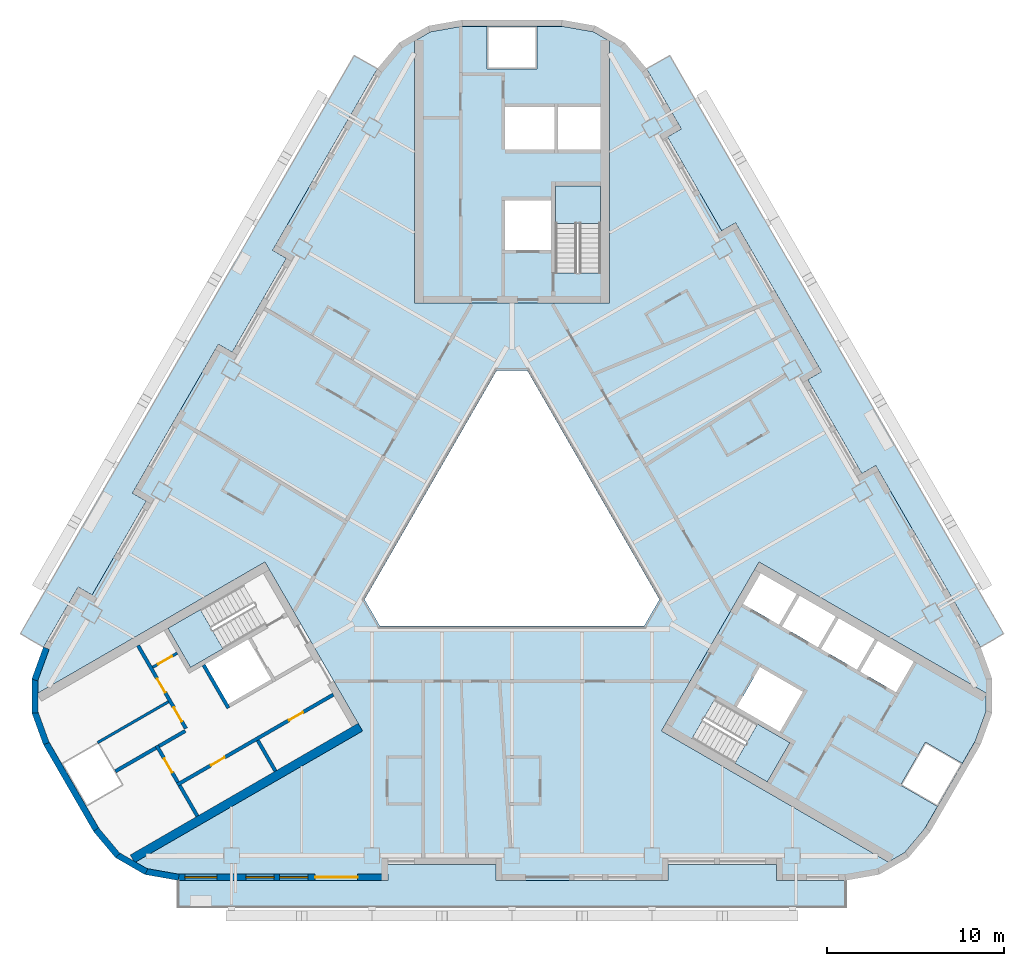
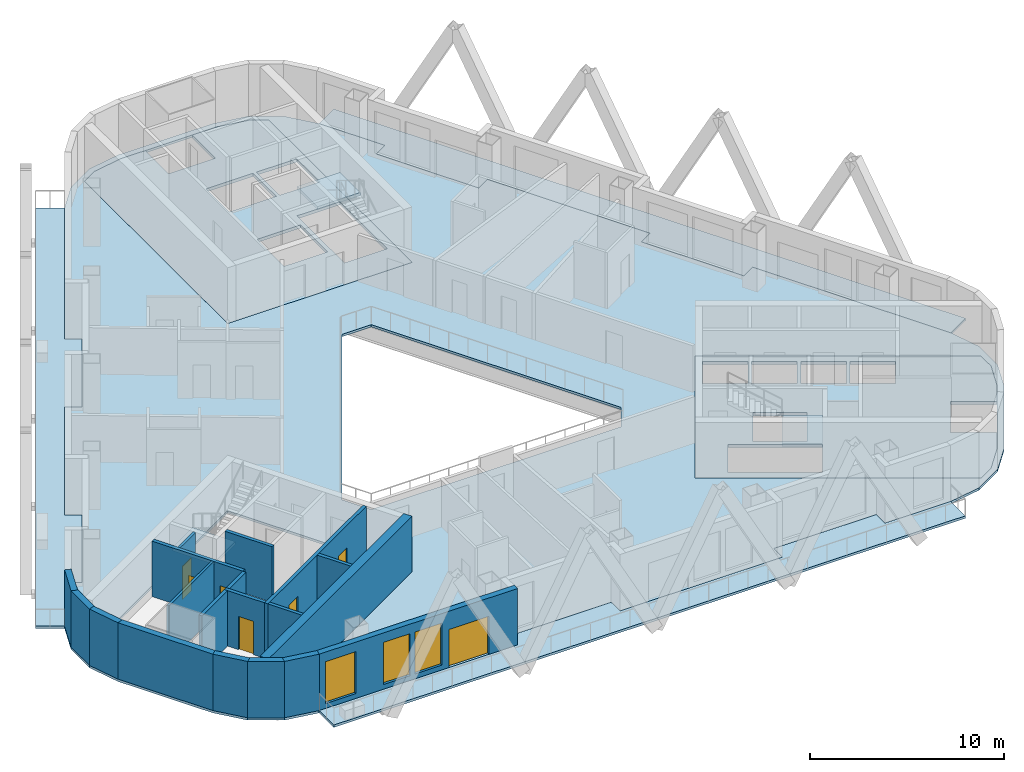
# One storey, part 2 of 13: 19 walls, 9 slabs, 7 doors, 3 windows, 10 openings, 3 elements without a shape of their own.
"""IFC4 building model written with IfcOpenShell, lengths in metres."""

from ifc_helpers import new_model, si_unit, direction, frame, frame_2d, origin, place, context, subcontext, project, spatial, polyline, rectangle, outline, extrude, material, layer, layer_set, type_object, element, fill, aggregate, save


model = new_model("IFC4")

# Units and contexts
model_context = context("Model", 3, precision=1e-05, world=origin(), true_north=direction((0.0, 1.0)))
body_context = subcontext(model_context, "Body", "Model", "MODEL_VIEW")
ifc_project = project(units=[si_unit("LENGTHUNIT", "METRE"), si_unit("AREAUNIT", "SQUARE_METRE"), si_unit("VOLUMEUNIT", "CUBIC_METRE"), si_unit("PLANEANGLEUNIT", "RADIAN"), si_unit("MASSUNIT", "GRAM", prefix="KILO")], contexts=[model_context])

# Site, building, storey
site_placement = place(None, origin())
site = spatial("IfcSite", under=ifc_project, at=site_placement, CompositionType="ELEMENT")
building_placement = place(site_placement, origin())
building = spatial("IfcBuilding", under=site, at=building_placement, Name="Apuvela Tower Hotel", CompositionType="ELEMENT")
storey_placement = place(building_placement, frame((0.0, 0.0, 105.699951171875)))
storey = spatial("IfcBuildingStorey", under=building, at=storey_placement, Name="L24", CompositionType="ELEMENT", Elevation=105.699951171875)

# Slabs
ifc_material_1 = material(Name="Concrete C50/60", Category="concrete")
ifc_layer_1 = layer(ifc_material_1, 0.199951171875)
ifc_layer_set_1 = layer_set([ifc_layer_1], Name="COR-FLOOR-200")
slab_type_1 = type_object("IfcSlabType", Name="COR-FLOOR-200", PredefinedType="FLOOR", material=ifc_layer_set_1)
slab_1_placement = place(storey_placement, frame((0.0, 0.0, -0.199951171875)))
element("IfcSlab", 1, at=slab_1_placement, inside=storey, type_object=slab_type_1, Name="Core floor N", PredefinedType="FLOOR", context=body_context, shape_type="SweptSolid", body=[
    extrude(outline(polyline([(5.5, 27.668212890625), (4.588623046875, 28.1943359375), (2.85498046875, 28.5), (1.39990234375, 28.5), (1.39990234375, 26.10009765625), (-1.39990234375, 26.10009765625), (-1.39990234375, 28.5), (-2.85498046875, 28.5), (-4.588623046875, 28.1943359375), (-5.5, 27.668212890625), (-5.5, 12.89990234375), (5.5, 12.89990234375), (5.5, 27.668212890625)]), holes=[polyline([(5.0, 14.60595703125), (2.449951171875, 14.60595703125), (2.449951171875, 19.5), (5.0, 19.5), (5.0, 14.60595703125)]), polyline([(2.199951171875, 15.89990234375), (-0.39990234375, 15.89990234375), (-0.39990234375, 18.699951171875), (2.199951171875, 18.699951171875), (2.199951171875, 15.89990234375)]), polyline([(5.0, 21.550048828125), (2.60009765625, 21.550048828125), (2.60009765625, 23.949951171875), (5.0, 23.949951171875), (5.0, 21.550048828125)]), polyline([(2.39990234375, 21.550048828125), (-0.39990234375, 21.550048828125), (-0.39990234375, 23.949951171875), (2.39990234375, 23.949951171875), (2.39990234375, 21.550048828125)])]), origin(), (0.0, 0.0, 1.0), 0.199951171875),
])
slab_2_placement = place(storey_placement, frame((0.0, 0.0, -0.199951171875)))
element("IfcSlab", 2, at=slab_2_placement, inside=storey, type_object=slab_type_1, Name="Core floor SE", PredefinedType="FLOOR", context=body_context, shape_type="SweptSolid", body=[
    extrude(outline(polyline([(21.211181640625, -18.59716796875), (22.122802734375, -18.071044921875), (23.254150390625, -16.72265625), (23.981689453125, -15.46240234375), (21.9033203125, -14.262451171875), (23.30322265625, -11.837646484375), (25.381591796875, -13.03759765625), (26.109375, -11.77734375), (26.711181640625, -10.123291015625), (26.711181640625, -9.07080078125), (13.921630859375, -1.68701171875), (8.421630859375, -11.213134765625), (21.211181640625, -18.59716796875)]), holes=[polyline([(13.01806640625, -4.052001953125), (14.01806640625, -2.31982421875), (16.044677734375, -3.489990234375), (15.044677734375, -5.221923828125), (13.01806640625, -4.052001953125)]), polyline([(17.244384765625, -6.491943359375), (15.2177734375, -5.322021484375), (16.2177734375, -3.58984375), (18.244384765625, -4.760009765625), (17.244384765625, -6.491943359375)]), polyline([(14.387451171875, -14.080078125), (10.149169921875, -11.633056640625), (11.42431640625, -9.4248046875), (15.66259765625, -11.871826171875), (14.387451171875, -14.080078125)]), polyline([(12.669921875, -9.855224609375), (13.9697265625, -7.603515625), (16.394775390625, -9.003662109375), (15.0947265625, -11.25537109375), (12.669921875, -9.855224609375)]), polyline([(19.444091796875, -7.761962890625), (17.41748046875, -6.591796875), (18.41748046875, -4.85986328125), (20.444091796875, -6.02978515625), (19.444091796875, -7.761962890625)]), polyline([(21.643798828125, -9.031982421875), (19.6171875, -7.86181640625), (20.6171875, -6.1298828125), (22.643798828125, -7.2998046875), (21.643798828125, -9.031982421875)])]), origin(), (0.0, 0.0, 1.0), 0.199951171875),
])

# Stair, slab
stair_type = type_object("IfcStairType", Name="COR-STAIR-22R", PredefinedType="HALF_TURN_STAIR", material=ifc_material_1)
stair_1_placement = place(storey_placement, origin())
stair_1 = element("IfcStair", 3, at=stair_1_placement, inside=storey, type_object=stair_type, Name="L24 Exit stair ST1", PredefinedType="HALF_TURN_STAIR")
ifc_layer_2 = layer(ifc_material_1, 0.199951171875)
ifc_layer_set_2 = layer_set([ifc_layer_2], Name="COR-LANDING-200")
slab_type_2 = type_object("IfcSlabType", Name="COR-LANDING-200", PredefinedType="LANDING", material=ifc_layer_set_2)
slab_3_placement = place(storey_placement, frame((0.0, 0.0, 1.650146484375)))
slab_3 = element("IfcSlab", 4, at=slab_3_placement, type_object=slab_type_2, Name="ST1 landing 1", PredefinedType="LANDING", context=body_context, shape_type="SweptSolid", body=[
    extrude(outline(polyline([(5.0, 17.39404296875), (5.0, 19.5), (2.449951171875, 19.5), (2.449951171875, 17.39404296875), (5.0, 17.39404296875)])), origin(), (0.0, 0.0, 1.0), 0.199951171875),
])
aggregate(stair_1, [slab_3])

stair_2_placement = place(storey_placement, origin())
stair_2 = element("IfcStair", 5, at=stair_2_placement, inside=storey, type_object=stair_type, Name="L24 Exit stair ST2", PredefinedType="HALF_TURN_STAIR")
slab_4_placement = place(storey_placement, frame((0.0, 0.0, 1.650146484375)))
slab_4 = element("IfcSlab", 6, at=slab_4_placement, type_object=slab_type_2, Name="ST2 landing 1", PredefinedType="LANDING", context=body_context, shape_type="SweptSolid", body=[
    extrude(outline(polyline([(-17.563720703125, -4.366943359375), (-19.387451171875, -5.419921875), (-18.112548828125, -7.628173828125), (-16.28857421875, -6.5751953125), (-17.563720703125, -4.366943359375)])), origin(), (0.0, 0.0, 1.0), 0.199951171875),
])
aggregate(stair_2, [slab_4])

stair_3_placement = place(storey_placement, origin())
stair_3 = element("IfcStair", 7, at=stair_3_placement, inside=storey, type_object=stair_type, Name="L24 Exit stair ST3", PredefinedType="HALF_TURN_STAIR")
slab_5_placement = place(storey_placement, frame((0.0, 0.0, 1.650146484375)))
slab_5 = element("IfcSlab", 8, at=slab_5_placement, type_object=slab_type_2, Name="ST3 landing 1", PredefinedType="LANDING", context=body_context, shape_type="SweptSolid", body=[
    extrude(outline(polyline([(12.563720703125, -13.027099609375), (14.387451171875, -14.080078125), (15.66259765625, -11.871826171875), (13.838623046875, -10.81884765625), (12.563720703125, -13.027099609375)])), origin(), (0.0, 0.0, 1.0), 0.199951171875),
])
aggregate(stair_3, [slab_5])

# Slabs
ifc_material_2 = material(Name="Concrete C40/50, fair-faced", Category="concrete")
ifc_layer_3 = layer(ifc_material_2, 0.14990234375)
ifc_layer_set_3 = layer_set([ifc_layer_3], Name="ENV-BALCONY-150")
slab_type_3 = type_object("IfcSlabType", Name="ENV-BALCONY-150", PredefinedType="FLOOR", material=ifc_layer_set_3)
slab_6_placement = place(storey_placement, frame((0.0, 0.0, -0.14990234375)))
element("IfcSlab", 9, at=slab_6_placement, inside=storey, type_object=slab_type_3, Name="Balcony slab S L24", PredefinedType="FLOOR", context=body_context, shape_type="SweptSolid", body=[
    extrude(outline(polyline([(18.82080078125, -21.135009765625), (-18.82080078125, -21.135009765625), (-18.82080078125, -19.625), (-7.0048828125, -19.625), (-7.0048828125, -18.72509765625), (-0.89501953125, -18.72509765625), (-0.89501953125, -19.625), (8.794921875, -19.625), (8.794921875, -18.72509765625), (14.905029296875, -18.72509765625), (14.905029296875, -19.625), (18.82080078125, -19.625), (18.82080078125, -21.135009765625)])), origin(), (0.0, 0.0, 1.0), 0.14990234375),
])
slab_7_placement = place(storey_placement, frame((0.0, 0.0, -0.14990234375)))
element("IfcSlab", 10, at=slab_7_placement, inside=storey, type_object=slab_type_3, Name="Balcony slab NE L24", PredefinedType="FLOOR", context=body_context, shape_type="SweptSolid", body=[
    extrude(outline(polyline([(17.443359375, 9.037353515625), (12.598388671875, 17.42919921875), (11.81884765625, 16.979248046875), (8.763916015625, 22.2705078125), (9.543212890625, 22.720703125), (7.585205078125, 26.11181640625), (8.89306640625, 26.86669921875), (27.7138671875, -5.731689453125), (26.40625, -6.48681640625), (20.498291015625, 3.74609375), (19.71875, 3.2958984375), (16.663818359375, 8.58740234375), (17.443359375, 9.037353515625)])), origin(), (0.0, 0.0, 1.0), 0.14990234375),
])
slab_8_placement = place(storey_placement, frame((0.0, 0.0, -0.14990234375)))
element("IfcSlab", 11, at=slab_8_placement, inside=storey, type_object=slab_type_3, Name="Balcony slab NW L24", PredefinedType="FLOOR", context=body_context, shape_type="SweptSolid", body=[
    extrude(outline(polyline([(-27.7138671875, -5.731689453125), (-8.89306640625, 26.86669921875), (-7.585205078125, 26.11181640625), (-13.4931640625, 15.87890625), (-12.7138671875, 15.428955078125), (-15.768798828125, 10.1376953125), (-16.548095703125, 10.587646484375), (-21.393310546875, 2.19580078125), (-20.61376953125, 1.745849609375), (-23.668701171875, -3.545654296875), (-24.4482421875, -3.095703125), (-26.40625, -6.48681640625), (-27.7138671875, -5.731689453125)])), origin(), (0.0, 0.0, 1.0), 0.14990234375),
])
ifc_material_3 = material(Name="Concrete C35/45", Category="concrete")
ifc_layer_4 = layer(ifc_material_3, 0.14990234375)
ifc_layer_set_4 = layer_set([ifc_layer_4], Name="STR-SLAB 150 floor Concrete C35/45")
slab_type_4 = type_object("IfcSlabType", Name="STR-SLAB 150 floor Concrete C35/45", PredefinedType="FLOOR", material=ifc_layer_set_4)
slab_9_placement = place(storey_placement, frame((0.0, 0.0, -0.14990234375)))
element("IfcSlab", 12, at=slab_9_placement, inside=storey, type_object=slab_type_4, Name="Floor slab S4 L24", PredefinedType="FLOOR", context=body_context, shape_type="SweptSolid", body=[
    extrude(outline(polyline([(-6.3642578125, 27.5732421875), (-4.710205078125, 28.5283203125), (-2.8291015625, 28.860107421875), (2.8291015625, 28.860107421875), (4.710205078125, 28.5283203125), (6.3642578125, 27.5732421875), (7.59228515625, 26.110107421875), (9.550048828125, 22.71875), (8.770751953125, 22.268798828125), (11.82080078125, 16.986083984375), (12.60009765625, 17.43603515625), (17.4501953125, 9.035400390625), (16.670654296875, 8.58544921875), (19.720703125, 3.302734375), (20.5, 3.752685546875), (26.407958984375, -6.47998046875), (27.061279296875, -8.27490234375), (27.061279296875, -10.18505859375), (26.407958984375, -11.97998046875), (23.5791015625, -16.8798828125), (22.351318359375, -18.34326171875), (20.697021484375, -19.29833984375), (18.81591796875, -19.6298828125), (14.89990234375, -19.6298828125), (14.89990234375, -18.72998046875), (8.800048828125, -18.72998046875), (8.800048828125, -19.6298828125), (-0.89990234375, -19.6298828125), (-0.89990234375, -18.72998046875), (-7.0, -18.72998046875), (-7.0, -19.6298828125), (-18.81591796875, -19.6298828125), (-20.697021484375, -19.29833984375), (-22.351318359375, -18.34326171875), (-23.5791015625, -16.8798828125), (-26.407958984375, -11.97998046875), (-27.061279296875, -10.18505859375), (-27.061279296875, -8.27490234375), (-26.407958984375, -6.47998046875), (-24.4501953125, -3.088623046875), (-23.670654296875, -3.538818359375), (-20.62060546875, 1.743896484375), (-21.400146484375, 2.194091796875), (-16.550048828125, 10.594482421875), (-15.7705078125, 10.14453125), (-12.720703125, 15.42724609375), (-13.5, 15.877197265625), (-7.59228515625, 26.110107421875), (-6.3642578125, 27.5732421875)]), holes=[polyline([(0.865966796875, 9.10009765625), (-0.865966796875, 9.10009765625), (-8.313720703125, -3.800048828125), (-7.44775390625, -5.300048828125), (7.44775390625, -5.300048828125), (8.313720703125, -3.800048828125), (0.865966796875, 9.10009765625)]), polyline([(-5.5, 12.89990234375), (-5.5, 27.668212890625), (-4.588623046875, 28.1943359375), (-2.85498046875, 28.5), (2.85498046875, 28.5), (4.588623046875, 28.1943359375), (5.5, 27.668212890625), (5.5, 12.89990234375), (-5.5, 12.89990234375)]), polyline([(-8.421630859375, -11.213134765625), (-21.211181640625, -18.59716796875), (-22.122802734375, -18.071044921875), (-23.254150390625, -16.72265625), (-26.109375, -11.77734375), (-26.711181640625, -10.123291015625), (-26.711181640625, -9.07080078125), (-13.921630859375, -1.68701171875), (-8.421630859375, -11.213134765625)]), polyline([(13.921630859375, -1.68701171875), (26.711181640625, -9.07080078125), (26.711181640625, -10.123291015625), (26.109375, -11.77734375), (23.254150390625, -16.72265625), (22.122802734375, -18.071044921875), (21.211181640625, -18.59716796875), (8.421630859375, -11.213134765625), (13.921630859375, -1.68701171875)])]), origin(), (0.0, 0.0, 1.0), 0.14990234375),
])

# Wall
ifc_layer_5 = layer(ifc_material_1, 0.5)
ifc_layer_set_5 = layer_set([ifc_layer_5], Name="COR-WALL-CORE-500")
wall_type_1 = type_object("IfcWallType", Name="COR-WALL-CORE-500", PredefinedType="SHEAR", material=ifc_layer_set_5)
wall_1_placement = place(storey_placement, frame((-8.546630859375, -10.99658203125, 0.0), z_axis=(0.0, 0.0, 1.0), x_axis=(-0.866025009528, -0.500000682871, 0.0)))
element("IfcWall", 13, at=wall_1_placement, inside=storey, type_object=wall_type_1, Name="Core wall SW", PredefinedType="SHEAR", context=body_context, shape_type="SweptSolid", body=[
    extrude(rectangle(XDim=14.8369140625, YDim=0.5, at=frame_2d((7.41845703125, 0.0))), origin(), (0.0, 0.0, 1.0), 3.5),
])

# Wall, opening, door
ifc_material_4 = material(Name="Blockwork 150 mm plastered", Category="masonry")
ifc_layer_6 = layer(ifc_material_4, 0.14990234375)
ifc_layer_set_6 = layer_set([ifc_layer_6], Name="COR-WALL-PART-150")
wall_type_2 = type_object("IfcWallType", Name="COR-WALL-PART-150", PredefinedType="PARTITIONING", material=ifc_layer_set_6)
wall_2_placement = place(storey_placement, frame((-18.866455078125, -6.822265625, 0.0), z_axis=(0.0, 0.0, 1.0), x_axis=(-0.866028054938, -0.499995408039, 0.0)))
wall_2 = element("IfcWall", 14, at=wall_2_placement, inside=storey, type_object=wall_type_2, Name="Partition SW", PredefinedType="PARTITIONING", context=body_context, shape_type="SweptSolid", body=[
    extrude(rectangle(XDim=1.60009765625, YDim=0.14990234375, at=frame_2d((0.800048828125, 0.0))), origin(), (0.0, 0.0, 1.0), 3.5),
])
opening_1_placement = place(wall_2_placement, frame((0.35009765625, 0.0, 0.0)))
opening_1 = element("IfcOpeningElement", 15, at=opening_1_placement, cuts=wall_2, Name="Opening W-RD", PredefinedType="OPENING", context=body_context, shape_type="SweptSolid", body=[
    extrude(rectangle(XDim=0.89990234375, YDim=2.10009765625, at=frame_2d((0.449951171875, 1.050048828125))), frame((0.0, 0.0849609375, 0.0), z_axis=(0.0, -1.0, 0.0), x_axis=(1.0, 0.0, 0.0)), (0.0, 0.0, 1.0), 0.169921875),
])
ifc_material_5 = material(Name="Steel access door, powder coated", Category="steel")
door_type_1 = type_object("IfcDoorType", Name="COR-RD-900", OperationType="NOTDEFINED", PredefinedType="DOOR", material=ifc_material_5)
door_1_placement = place(opening_1_placement, frame((0.89990234375, 0.0, 0.0), z_axis=(0.0, 0.0, 1.0), x_axis=(-1.0, 0.0, 0.0)))
door_1 = element("IfcDoor", 16, at=door_1_placement, inside=storey, type_object=door_type_1, Name="Riser door W-RD", OperationType="SINGLE_SWING_RIGHT", OverallHeight=2.10009765625, OverallWidth=0.89990234375, PredefinedType="DOOR", context=body_context, shape_type="SweptSolid", body=[
    extrude(rectangle(XDim=0.89990234375, YDim=2.10009765625, at=frame_2d((0.449951171875, 1.050048828125))), frame((0.0, 0.02490234375, 0.0), z_axis=(0.0, -1.0, 0.0), x_axis=(1.0, 0.0, 0.0)), (0.0, 0.0, 1.0), 0.050048828125),
])
fill(opening_1, door_1)

# Wall
wall_3_placement = place(storey_placement, frame((-19.36279296875, -9.5625, 0.0), z_axis=(0.0, 0.0, 1.0), x_axis=(-0.86601185002, -0.500023475074, 0.0)))
element("IfcWall", 17, at=wall_3_placement, inside=storey, type_object=wall_type_2, Name="Partition SW", PredefinedType="PARTITIONING", context=body_context, shape_type="SweptSolid", body=[
    extrude(rectangle(XDim=4.610107421875, YDim=0.14990234375, at=frame_2d((2.30517578125, 0.0))), origin(), (0.0, 0.0, 1.0), 3.5),
])

# Wall, openings, doors
ifc_material_6 = material(Name="Blockwork 200 mm plastered", Category="masonry")
ifc_layer_7 = layer(ifc_material_6, 0.199951171875)
ifc_layer_set_7 = layer_set([ifc_layer_7], Name="COR-WALL-PART-200")
wall_type_3 = type_object("IfcWallType", Name="COR-WALL-PART-200", PredefinedType="PARTITIONING", material=ifc_layer_set_7)
wall_4_placement = place(storey_placement, frame((-21.076171875, -6.39501953125, 0.0), z_axis=(0.0, 0.0, 1.0), x_axis=(0.50001468107, -0.866016927499, 0.0)))
wall_4 = element("IfcWall", 18, at=wall_4_placement, inside=storey, type_object=wall_type_3, Name="Partition SW", PredefinedType="PARTITIONING", context=body_context, shape_type="SweptSolid", body=[
    extrude(rectangle(XDim=5.399658203125, YDim=0.199951171875, at=frame_2d((2.69970703125, 0.0))), origin(), (0.0, 0.0, 1.0), 3.5),
])
opening_2_placement = place(wall_4_placement, frame((2.16259765625, 0.0, 0.0)))
opening_2 = element("IfcOpeningElement", 19, at=opening_2_placement, cuts=wall_4, Name="Opening W-RS1", PredefinedType="OPENING", context=body_context, shape_type="SweptSolid", body=[
    extrude(rectangle(XDim=0.89990234375, YDim=2.10009765625, at=frame_2d((0.449951171875, 1.050048828125))), frame((0.0, 0.10986328125, 0.0), z_axis=(0.0, -1.0, 0.0), x_axis=(1.0, 0.0, 0.0)), (0.0, 0.0, 1.0), 0.219970703125),
])
opening_3_placement = place(wall_4_placement, frame((4.03759765625, 0.0, 0.0)))
opening_3 = element("IfcOpeningElement", 20, at=opening_3_placement, cuts=wall_4, Name="Opening W-RS2", PredefinedType="OPENING", context=body_context, shape_type="SweptSolid", body=[
    extrude(rectangle(XDim=0.89990234375, YDim=2.10009765625, at=frame_2d((0.449951171875, 1.050048828125))), frame((0.0, 0.10986328125, 0.0), z_axis=(0.0, -1.0, 0.0), x_axis=(1.0, 0.0, 0.0)), (0.0, 0.0, 1.0), 0.219970703125),
])
ifc_material_7 = material(Name="Steel fire door, powder coated", Category="steel")
door_type_2 = type_object("IfcDoorType", Name="COR-DR-900", OperationType="NOTDEFINED", PredefinedType="DOOR", material=ifc_material_7)
door_2_placement = place(opening_2_placement, frame((0.89990234375, 0.0, 0.0), z_axis=(0.0, 0.0, 1.0), x_axis=(-1.0, 0.0, 0.0)))
door_2 = element("IfcDoor", 21, at=door_2_placement, inside=storey, type_object=door_type_2, Name="Store door W-RS1", OperationType="SINGLE_SWING_LEFT", OverallHeight=2.10009765625, OverallWidth=0.89990234375, PredefinedType="DOOR", context=body_context, shape_type="SweptSolid", body=[
    extrude(rectangle(XDim=0.89990234375, YDim=2.10009765625, at=frame_2d((0.449951171875, 1.050048828125))), frame((0.0, 0.02490234375, 0.0), z_axis=(0.0, -1.0, 0.0), x_axis=(1.0, 0.0, 0.0)), (0.0, 0.0, 1.0), 0.050048828125),
])
fill(opening_2, door_2)
door_3_placement = place(opening_3_placement, frame((0.89990234375, 0.0, 0.0), z_axis=(0.0, 0.0, 1.0), x_axis=(-1.0, 0.0, 0.0)))
door_3 = element("IfcDoor", 22, at=door_3_placement, inside=storey, type_object=door_type_2, Name="Store door W-RS2", OperationType="SINGLE_SWING_LEFT", OverallHeight=2.10009765625, OverallWidth=0.89990234375, PredefinedType="DOOR", context=body_context, shape_type="SweptSolid", body=[
    extrude(rectangle(XDim=0.89990234375, YDim=2.10009765625, at=frame_2d((0.449951171875, 1.050048828125))), frame((0.0, 0.02490234375, 0.0), z_axis=(0.0, -1.0, 0.0), x_axis=(1.0, 0.0, 0.0)), (0.0, 0.0, 1.0), 0.050048828125),
])
fill(opening_3, door_3)

# Wall
ifc_layer_8 = layer(ifc_material_1, 0.199951171875)
ifc_layer_set_8 = layer_set([ifc_layer_8], Name="COR-WALL-SHAFT-200")
wall_type_4 = type_object("IfcWallType", Name="COR-WALL-SHAFT-200", PredefinedType="SHEAR", material=ifc_layer_set_8)
wall_5_placement = place(storey_placement, frame((-17.38134765625, -7.49462890625, 0.0), z_axis=(0.0, 0.0, 1.0), x_axis=(0.500011755427, -0.866018616679, 0.0)))
element("IfcWall", 23, at=wall_5_placement, inside=storey, type_object=wall_type_4, Name="Shaft wall SW", PredefinedType="SHEAR", context=body_context, shape_type="SweptSolid", body=[
    extrude(rectangle(XDim=2.80029296875, YDim=0.199951171875, at=frame_2d((1.400146484375, 0.0))), origin(), (0.0, 0.0, 1.0), 3.5),
])

# Wall, openings, doors
wall_6_placement = place(storey_placement, frame((-10.068115234375, -9.16162109375, 0.0), z_axis=(0.0, 0.0, 1.0), x_axis=(-0.866032725843, -0.499987317609, 0.0)))
wall_6 = element("IfcWall", 24, at=wall_6_placement, inside=storey, type_object=wall_type_4, Name="Shaft wall SW", PredefinedType="SHEAR", context=body_context, shape_type="SweptSolid", body=[
    extrude(rectangle(XDim=10.159912109375, YDim=0.199951171875, at=frame_2d((5.080078125, 0.0))), origin(), (0.0, 0.0, 1.0), 3.5),
])
opening_4_placement = place(wall_6_placement, frame((1.989990234375, 0.0, 0.0)))
opening_4 = element("IfcOpeningElement", 25, at=opening_4_placement, cuts=wall_6, Name="Opening W-RE1", PredefinedType="OPENING", context=body_context, shape_type="SweptSolid", body=[
    extrude(rectangle(XDim=0.89990234375, YDim=2.10009765625, at=frame_2d((0.449951171875, 1.050048828125))), frame((0.0, 0.10986328125, 0.0), z_axis=(0.0, -1.0, 0.0), x_axis=(1.0, 0.0, 0.0)), (0.0, 0.0, 1.0), 0.219970703125),
])
opening_5_placement = place(wall_6_placement, frame((7.070068359375, 0.0, 0.0)))
opening_5 = element("IfcOpeningElement", 26, at=opening_5_placement, cuts=wall_6, Name="Opening W-RE3", PredefinedType="OPENING", context=body_context, shape_type="SweptSolid", body=[
    extrude(rectangle(XDim=0.89990234375, YDim=2.10009765625, at=frame_2d((0.449951171875, 1.050048828125))), frame((0.0, 0.10986328125, 0.0), z_axis=(0.0, -1.0, 0.0), x_axis=(1.0, 0.0, 0.0)), (0.0, 0.0, 1.0), 0.219970703125),
])
door_4_placement = place(opening_4_placement, origin())
door_4 = element("IfcDoor", 27, at=door_4_placement, inside=storey, type_object=door_type_2, Name="Store door W-RE1", OperationType="SINGLE_SWING_LEFT", OverallHeight=2.10009765625, OverallWidth=0.89990234375, PredefinedType="DOOR", context=body_context, shape_type="SweptSolid", body=[
    extrude(rectangle(XDim=0.89990234375, YDim=2.10009765625, at=frame_2d((0.449951171875, 1.050048828125))), frame((0.0, 0.02490234375, 0.0), z_axis=(0.0, -1.0, 0.0), x_axis=(1.0, 0.0, 0.0)), (0.0, 0.0, 1.0), 0.050048828125),
])
fill(opening_4, door_4)
door_5_placement = place(opening_5_placement, origin())
door_5 = element("IfcDoor", 28, at=door_5_placement, inside=storey, type_object=door_type_2, Name="Store door W-RE3", OperationType="SINGLE_SWING_LEFT", OverallHeight=2.10009765625, OverallWidth=0.89990234375, PredefinedType="DOOR", context=body_context, shape_type="SweptSolid", body=[
    extrude(rectangle(XDim=0.89990234375, YDim=2.10009765625, at=frame_2d((0.449951171875, 1.050048828125))), frame((0.0, 0.02490234375, 0.0), z_axis=(0.0, -1.0, 0.0), x_axis=(1.0, 0.0, 0.0)), (0.0, 0.0, 1.0), 0.050048828125),
])
fill(opening_5, door_5)

# Wall, opening, door
wall_7_placement = place(storey_placement, frame((-20.030517578125, -12.0263671875, 0.0), z_axis=(0.0, 0.0, 1.0), x_axis=(0.500033551112, -0.866006032174, 0.0)))
wall_7 = element("IfcWall", 29, at=wall_7_placement, inside=storey, type_object=wall_type_4, Name="Shaft wall SW", PredefinedType="SHEAR", context=body_context, shape_type="SweptSolid", body=[
    extrude(rectangle(XDim=2.400146484375, YDim=0.199951171875, at=frame_2d((1.2001953125, 0.0))), origin(), (0.0, 0.0, 1.0), 3.5),
])
opening_6_placement = place(wall_7_placement, frame((0.85009765625, 0.0, 0.0)))
opening_6 = element("IfcOpeningElement", 30, at=opening_6_placement, cuts=wall_7, Name="Opening W-REP", PredefinedType="OPENING", context=body_context, shape_type="SweptSolid", body=[
    extrude(rectangle(XDim=0.89990234375, YDim=2.10009765625, at=frame_2d((0.449951171875, 1.050048828125))), frame((0.0, 0.10986328125, 0.0), z_axis=(0.0, -1.0, 0.0), x_axis=(1.0, 0.0, 0.0)), (0.0, 0.0, 1.0), 0.219970703125),
])
door_6_placement = place(opening_6_placement, frame((0.89990234375, 0.0, 0.0), z_axis=(0.0, 0.0, 1.0), x_axis=(-1.0, 0.0, 0.0)))
door_6 = element("IfcDoor", 31, at=door_6_placement, inside=storey, type_object=door_type_2, Name="Store door W-REP", OperationType="SINGLE_SWING_LEFT", OverallHeight=2.10009765625, OverallWidth=0.89990234375, PredefinedType="DOOR", context=body_context, shape_type="SweptSolid", body=[
    extrude(rectangle(XDim=0.89990234375, YDim=2.10009765625, at=frame_2d((0.449951171875, 1.050048828125))), frame((0.0, 0.02490234375, 0.0), z_axis=(0.0, -1.0, 0.0), x_axis=(1.0, 0.0, 0.0)), (0.0, 0.0, 1.0), 0.050048828125),
])
fill(opening_6, door_6)

# Walls
wall_8_placement = place(storey_placement, frame((-18.412841796875, -11.2080078125, 0.0), z_axis=(0.0, 0.0, 1.0), x_axis=(-0.866038183914, -0.499977863513, 0.0)))
element("IfcWall", 32, at=wall_8_placement, inside=storey, type_object=wall_type_4, Name="Shaft wall SW", PredefinedType="SHEAR", context=body_context, shape_type="SweptSolid", body=[
    extrude(rectangle(XDim=1.7099609375, YDim=0.199951171875, at=frame_2d((0.85498046875, 0.0))), origin(), (0.0, 0.0, 1.0), 3.5),
])
for number, where, z_axis, x_axis, name in (
    (33, (-14.330810546875, -11.738037109375, 0.0), (0.0, 0.0, 1.0), (0.499972520799, -0.866041268327, 0.0), "Shaft wall SW"),
    (34, (-18.73046875, -14.278076171875, 0.0), (0.0, 0.0, 1.0), (0.50002537861, -0.866010750942, 0.0), "Shaft wall SW"),
):
    element("IfcWall", number, at=place(storey_placement, frame(where, z_axis=z_axis, x_axis=x_axis)), inside=storey, type_object=wall_type_4, Name=name, PredefinedType="SHEAR", context=body_context, shape_type="SweptSolid", body=[
        extrude(rectangle(XDim=2.0, YDim=0.199951171875, at=frame_2d((1.0, 0.0))), origin(), (0.0, 0.0, 1.0), 3.5),
    ])
wall_9_placement = place(storey_placement, frame((-20.06689453125, -12.1630859375, 0.0), z_axis=(0.0, 0.0, 1.0), x_axis=(-0.866060851709, -0.499938597367, 0.0)))
element("IfcWall", 35, at=wall_9_placement, inside=storey, type_object=wall_type_4, Name="Shaft wall SW", PredefinedType="SHEAR", context=body_context, shape_type="SweptSolid", body=[
    extrude(rectangle(XDim=2.639892578125, YDim=0.199951171875, at=frame_2d((1.31982421875, 0.0))), origin(), (0.0, 0.0, 1.0), 3.5),
])
ifc_material_8 = material(Name="Concrete C40/50, dark pigmented precast panel", Category="concrete")
ifc_layer_9 = layer(ifc_material_8, 0.35009765625)
ifc_layer_set_9 = layer_set([ifc_layer_9], Name="ENV-WALL-350")
wall_type_5 = type_object("IfcWallType", Name="ENV-WALL-350", PredefinedType="SOLIDWALL", material=ifc_layer_set_9)
for number, where, z_axis, x_axis, name in (
    (36, (-26.24365234375, -6.539794921875, 0.0), (0.0, 0.0, 1.0), (-0.342030395486, -0.939688889242, 0.0), "External wall L24-10"),
    (37, (-26.88623046875, -8.27490234375, 0.0), (0.0, 0.0, 1.0), (0.0, -1.0, 0.0), "External wall L24-11"),
    (38, (-26.89697265625, -10.125244140625, 0.0), (0.0, 0.0, 1.0), (0.342030395486, -0.939688889242, 0.0), "External wall L24-12"),
):
    element("IfcWall", number, at=place(storey_placement, frame(where, z_axis=z_axis, x_axis=x_axis)), inside=storey, type_object=wall_type_5, Name=name, PredefinedType="SOLIDWALL", context=body_context, shape_type="SweptSolid", body=[
        extrude(rectangle(XDim=1.91015625, YDim=0.35009765625, at=frame_2d((0.955078125, 0.0))), origin(), (0.0, 0.0, 1.0), 3.550048828125),
    ])
wall_10_placement = place(storey_placement, frame((-26.256591796875, -11.892578125, 0.0), z_axis=(0.0, 0.0, 1.0), x_axis=(0.500018773155, -0.866014564827, 0.0)))
element("IfcWall", 39, at=wall_10_placement, inside=storey, type_object=wall_type_5, Name="External wall L24-13", PredefinedType="SOLIDWALL", context=body_context, shape_type="SweptSolid", body=[
    extrude(rectangle(XDim=5.657958984375, YDim=0.35009765625, at=frame_2d((2.8291015625, 0.0))), origin(), (0.0, 0.0, 1.0), 3.550048828125),
])
for number, where, z_axis, x_axis, name in (
    (40, (-23.44482421875, -16.767578125, 0.0), (0.0, 0.0, 1.0), (0.642733291068, -0.76609001857, 0.0), "External wall L24-14"),
    (41, (-22.263671875, -18.191650390625, 0.0), (0.0, 0.0, 1.0), (0.866000389056, -0.500043324278, 0.0), "External wall L24-15"),
):
    element("IfcWall", number, at=place(storey_placement, frame(where, z_axis=z_axis, x_axis=x_axis)), inside=storey, type_object=wall_type_5, Name=name, PredefinedType="SOLIDWALL", context=body_context, shape_type="SweptSolid", body=[
        extrude(rectangle(XDim=1.909912109375, YDim=0.35009765625, at=frame_2d((0.955078125, 0.0))), origin(), (0.0, 0.0, 1.0), 3.550048828125),
    ])
wall_11_placement = place(storey_placement, frame((-20.66650390625, -19.1259765625, 0.0), z_axis=(0.0, 0.0, 1.0), x_axis=(0.984798995425, -0.173697837091, 0.0)))
element("IfcWall", 42, at=wall_11_placement, inside=storey, type_object=wall_type_5, Name="External wall L24-16", PredefinedType="SOLIDWALL", context=body_context, shape_type="SweptSolid", body=[
    extrude(rectangle(XDim=1.91015625, YDim=0.35009765625, at=frame_2d((0.955078125, 0.0))), origin(), (0.0, 0.0, 1.0), 3.550048828125),
])

# Wall, openings, door, windows
wall_12_placement = place(storey_placement, frame((-18.81591796875, -19.455078125, 0.0), z_axis=(0.0, 0.0, 1.0), x_axis=(1.0, 0.0, 0.0)))
wall_12 = element("IfcWall", 43, at=wall_12_placement, inside=storey, type_object=wall_type_5, Name="External wall L24-17", PredefinedType="SOLIDWALL", context=body_context, shape_type="SweptSolid", body=[
    extrude(rectangle(XDim=11.81591796875, YDim=0.35009765625, at=frame_2d((5.907958984375, 0.0))), origin(), (0.0, 0.0, 1.0), 3.550048828125),
])
opening_7_placement = place(wall_12_placement, frame((0.380615234375, 0.0, 0.300048828125)))
opening_7 = element("IfcOpeningElement", 44, at=opening_7_placement, cuts=wall_12, Name="Opening WN18", PredefinedType="OPENING", context=body_context, shape_type="SweptSolid", body=[
    extrude(rectangle(XDim=1.800048828125, YDim=2.64990234375, at=frame_2d((0.89990234375, 1.324951171875))), frame((0.0, 0.18505859375, 0.0), z_axis=(0.0, -1.0, 0.0), x_axis=(1.0, 0.0, 0.0)), (0.0, 0.0, 1.0), 0.3701171875),
])
opening_8_placement = place(wall_12_placement, frame((7.71630859375, 0.0, 0.0)))
opening_8 = element("IfcOpeningElement", 45, at=opening_8_placement, cuts=wall_12, Name="Opening BD24", PredefinedType="OPENING", context=body_context, shape_type="SweptSolid", body=[
    extrude(rectangle(XDim=2.39990234375, YDim=2.39990234375, at=frame_2d((1.199951171875, 1.199951171875))), frame((0.0, 0.18505859375, 0.0), z_axis=(0.0, -1.0, 0.0), x_axis=(1.0, 0.0, 0.0)), (0.0, 0.0, 1.0), 0.3701171875),
])
opening_9_placement = place(wall_12_placement, frame((3.816162109375, 0.0, 0.300048828125)))
opening_9 = element("IfcOpeningElement", 46, at=opening_9_placement, cuts=wall_12, Name="Opening WN16", PredefinedType="OPENING", context=body_context, shape_type="SweptSolid", body=[
    extrude(rectangle(XDim=1.60009765625, YDim=2.64990234375, at=frame_2d((0.800048828125, 1.324951171875))), frame((0.0, 0.18505859375, 0.0), z_axis=(0.0, -1.0, 0.0), x_axis=(1.0, 0.0, 0.0)), (0.0, 0.0, 1.0), 0.3701171875),
])
opening_10_placement = place(wall_12_placement, frame((5.71630859375, 0.0, 0.300048828125)))
opening_10 = element("IfcOpeningElement", 47, at=opening_10_placement, cuts=wall_12, Name="Opening WN16", PredefinedType="OPENING", context=body_context, shape_type="SweptSolid", body=[
    extrude(rectangle(XDim=1.60009765625, YDim=2.64990234375, at=frame_2d((0.800048828125, 1.324951171875))), frame((0.0, 0.18505859375, 0.0), z_axis=(0.0, -1.0, 0.0), x_axis=(1.0, 0.0, 0.0)), (0.0, 0.0, 1.0), 0.3701171875),
])
ifc_material_9 = material(Name="Aluminium 6063-T6, dark bronze anodised frame with dark tinted laminated glass", Category="aluminium")
door_type_3 = type_object("IfcDoorType", Name="ENV-DOOR-BALCONY-2400x2400", OperationType="SLIDING_TO_LEFT", PredefinedType="DOOR", material=ifc_material_9)
door_7_placement = place(opening_8_placement, frame((2.39990234375, 0.0, 0.0), z_axis=(0.0, 0.0, 1.0), x_axis=(-1.0, 0.0, 0.0)))
door_7 = element("IfcDoor", 48, at=door_7_placement, inside=storey, type_object=door_type_3, Name="Balcony door BD24", OperationType="SLIDING_TO_LEFT", OverallHeight=2.39990234375, OverallWidth=2.39990234375, PredefinedType="DOOR", context=body_context, shape_type="SweptSolid", body=[
    extrude(rectangle(XDim=2.39990234375, YDim=2.39990234375, at=frame_2d((1.199951171875, 1.199951171875))), frame((0.0, 0.02490234375, 0.0), z_axis=(0.0, -1.0, 0.0), x_axis=(1.0, 0.0, 0.0)), (0.0, 0.0, 1.0), 0.050048828125),
])
fill(opening_8, door_7)
ifc_material_10 = material(Name="Glass, dark tinted laminated insulated glazing unit", Category="glass")
window_type_1 = type_object("IfcWindowType", Name="ENV-WIN-1600x2650", PartitioningType="SINGLE_PANEL", PredefinedType="WINDOW", material=ifc_material_10)
window_1_placement = place(opening_9_placement, origin())
window_1 = element("IfcWindow", 49, at=window_1_placement, inside=storey, type_object=window_type_1, Name="Window WN16", OverallHeight=2.64990234375, OverallWidth=1.60009765625, PartitioningType="SINGLE_PANEL", PredefinedType="WINDOW", context=body_context, shape_type="SweptSolid", body=[
    extrude(rectangle(XDim=1.60009765625, YDim=2.64990234375, at=frame_2d((0.800048828125, 1.324951171875))), frame((0.0, 0.030029296875, 0.0), z_axis=(0.0, -1.0, 0.0), x_axis=(1.0, 0.0, 0.0)), (0.0, 0.0, 1.0), 0.06005859375),
])
fill(opening_9, window_1)
window_2_placement = place(opening_10_placement, origin())
window_2 = element("IfcWindow", 50, at=window_2_placement, inside=storey, type_object=window_type_1, Name="Window WN16", OverallHeight=2.64990234375, OverallWidth=1.60009765625, PartitioningType="SINGLE_PANEL", PredefinedType="WINDOW", context=body_context, shape_type="SweptSolid", body=[
    extrude(rectangle(XDim=1.60009765625, YDim=2.64990234375, at=frame_2d((0.800048828125, 1.324951171875))), frame((0.0, 0.030029296875, 0.0), z_axis=(0.0, -1.0, 0.0), x_axis=(1.0, 0.0, 0.0)), (0.0, 0.0, 1.0), 0.06005859375),
])
fill(opening_10, window_2)
window_type_2 = type_object("IfcWindowType", Name="ENV-WIN-1800x2650", PartitioningType="SINGLE_PANEL", PredefinedType="WINDOW", material=ifc_material_10)
window_3_placement = place(opening_7_placement, origin())
window_3 = element("IfcWindow", 51, at=window_3_placement, inside=storey, type_object=window_type_2, Name="Window WN18", OverallHeight=2.64990234375, OverallWidth=1.800048828125, PartitioningType="SINGLE_PANEL", PredefinedType="WINDOW", context=body_context, shape_type="SweptSolid", body=[
    extrude(rectangle(XDim=1.800048828125, YDim=2.64990234375, at=frame_2d((0.89990234375, 1.324951171875))), frame((0.0, 0.030029296875, 0.0), z_axis=(0.0, -1.0, 0.0), x_axis=(1.0, 0.0, 0.0)), (0.0, 0.0, 1.0), 0.06005859375),
])
fill(opening_7, window_3)

save(model, "model.ifc")
